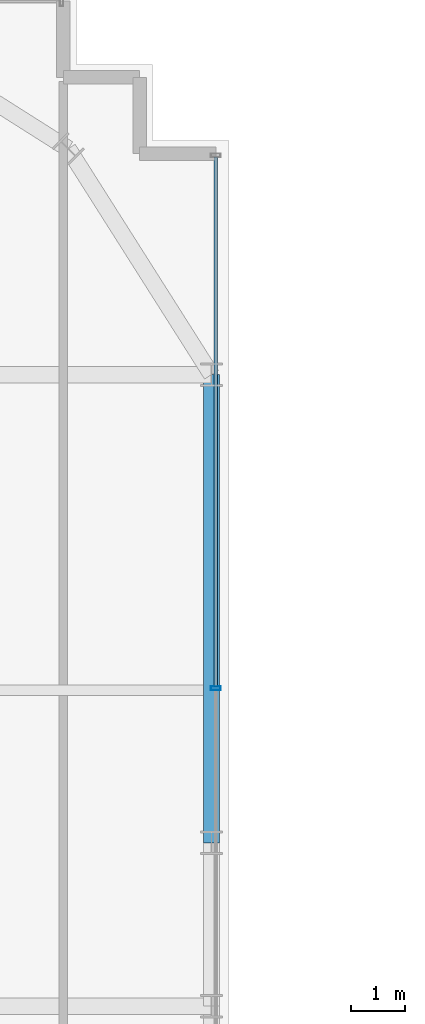
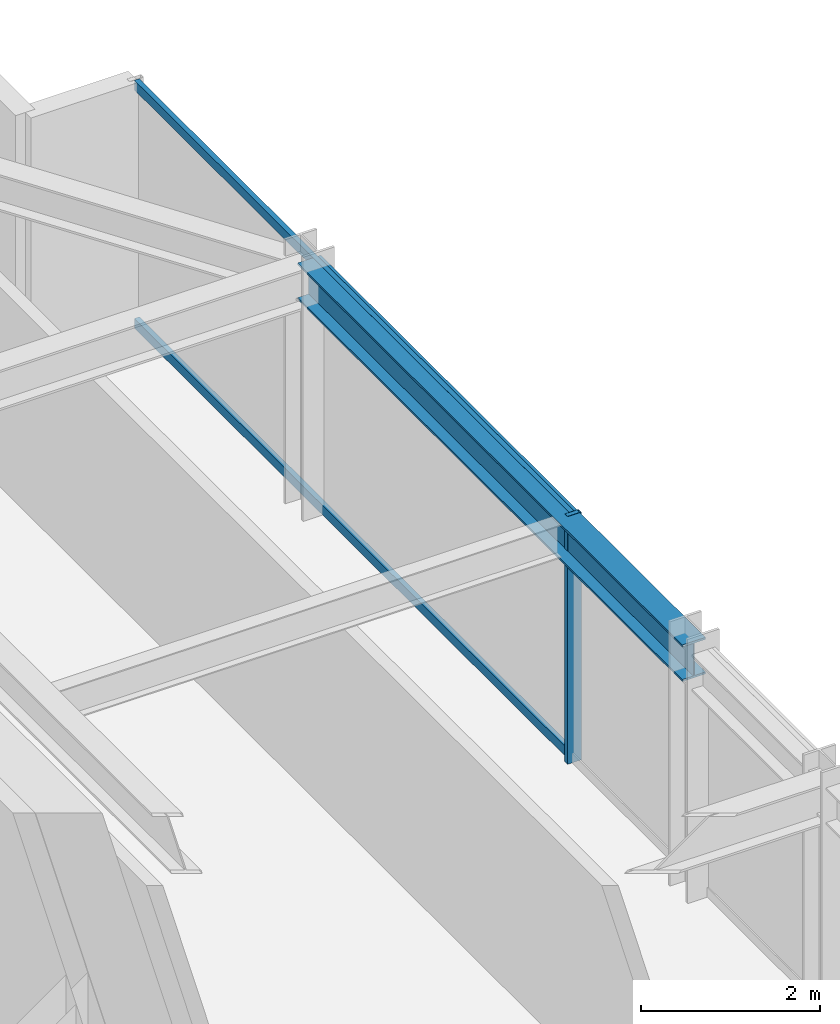
# One storey, part 23 of 34: 3 members, 1 beam, 1 element without a shape of its own.
"""IFC4 building model written with IfcOpenShell, lengths in metres."""

from ifc_helpers import new_model, si_unit, direction, frame, origin, origin_2d, place, context, subcontext, project, spatial, hollow_rectangle, i_section, extrude, source, transform, mapped, material, material_profile, profile_set, type_object, element, aggregate, save


model = new_model("IFC4")

# Units and contexts
model_context = context("Model", 3, precision=1e-05, world=origin(), true_north=direction((0.0, 1.0)))
body_context = subcontext(model_context, "Body", "Model", "MODEL_VIEW")
ifc_project = project(units=[si_unit("LENGTHUNIT", "METRE"), si_unit("AREAUNIT", "SQUARE_METRE"), si_unit("VOLUMEUNIT", "CUBIC_METRE"), si_unit("PLANEANGLEUNIT", "RADIAN"), si_unit("MASSUNIT", "GRAM", prefix="KILO")], contexts=[model_context])

# Site, building, storey
site_placement = place(None, origin())
site = spatial("IfcSite", under=ifc_project, at=site_placement, CompositionType="ELEMENT")
building_placement = place(site_placement, origin())
building = spatial("IfcBuilding", under=site, at=building_placement, Name="Nahalor Promenade Grand Hotel", CompositionType="ELEMENT")
storey_placement = place(building_placement, frame((0.0, 0.0, 99.25)))
storey = spatial("IfcBuildingStorey", under=building, at=storey_placement, Name="L24", CompositionType="ELEMENT", Elevation=99.25)

# Beam
ifc_material_1 = material(Name="Steel S355JR", Category="steel")
ifc_material_profile_1 = material_profile(ifc_material_1, i_section(OverallWidth=0.3, OverallDepth=0.5, WebThickness=0.0145, FlangeThickness=0.028, at=origin_2d()), Name="HEB 500")
ifc_profile_set_1 = profile_set([ifc_material_profile_1], Name="Steel S355JR")
beam_type = type_object("IfcBeamType", Name="Beam-Spandrel-HEB500", PredefinedType="SPANDREL", material=ifc_profile_set_1)
shared_shape_1 = source(origin(), body_context, "Body", "SweptSolid", [
    extrude(i_section(OverallWidth=0.3, OverallDepth=0.5, WebThickness=0.0145, FlangeThickness=0.028, at=origin_2d()), origin(), (0.0, 0.0, 1.0), 8.60009765625),
])
beam_placement = place(storey_placement, frame((23.780029296875, 8.39990234375, 3.1298828125), z_axis=(0.0, 1.0, 0.0), x_axis=(-1.0, 0.0, 0.0)))
element("IfcBeam", 1, at=beam_placement, inside=storey, type_object=beam_type, Name="BM-L24-SP-E-4", PredefinedType="SPANDREL", context=body_context, shape_type="MappedRepresentation", body=[
    mapped(shared_shape_1, transform((0.0, 0.0, 0.0), scale=1.0)),
])

# Curtain wall, members
ifc_material_2 = material(Name="Anodised Bronze Aluminium EN AW-6063 T6", Category="aluminium")
curtain_wall_type = type_object("IfcCurtainWallType", Name="CW2 Typical Hotel Flush Bronze Unitised Curtain Wall", PredefinedType="USERDEFINED", material=ifc_material_2)
curtain_wall_placement = place(storey_placement, origin())
curtain_wall = element("IfcCurtainWall", 2, at=curtain_wall_placement, inside=storey, type_object=curtain_wall_type, Name="L24 Curtain Wall CW-L24-E-3", ObjectType="UNITISED_CURTAIN_WALL", PredefinedType="USERDEFINED")
ifc_material_profile_2 = material_profile(ifc_material_2, hollow_rectangle(XDim=0.065, YDim=0.18, WallThickness=0.004, at=origin_2d()), Name="CWM 65x180x4")
ifc_profile_set_2 = profile_set([ifc_material_profile_2], Name="Anodised Bronze Aluminium EN AW-6063 T6")
member_type_1 = type_object("IfcMemberType", Name="CWM2 Typical Bronze Mullion 65x180", PredefinedType="MULLION", material=ifc_profile_set_2)
shared_shape_2 = source(origin(), body_context, "Body", "SweptSolid", [
    extrude(hollow_rectangle(XDim=0.065, YDim=0.18, WallThickness=0.004, at=origin_2d()), origin(), (0.0, 0.0, 1.0), 3.3798828125),
])
member_1_placement = place(storey_placement, frame((23.860107421875, 11.239990234375, 0.0), z_axis=(0.0, 0.0, 1.0), x_axis=(0.0, 1.0, 0.0)))
member_1 = element("IfcMember", 3, at=member_1_placement, type_object=member_type_1, Name="CW-L24-E-3 Mullion 2", PredefinedType="MULLION", context=body_context, shape_type="MappedRepresentation", body=[
    mapped(shared_shape_2, transform((0.0, 0.0, 0.0), scale=1.0)),
])
ifc_material_profile_3 = material_profile(ifc_material_2, hollow_rectangle(XDim=0.065, YDim=0.13, WallThickness=0.004, at=origin_2d()), Name="CWT 65x130x4")
ifc_profile_set_3 = profile_set([ifc_material_profile_3], Name="Anodised Bronze Aluminium EN AW-6063 T6")
member_type_2 = type_object("IfcMemberType", Name="CWT2 Typical Bronze Transom 65x130", PredefinedType="USERDEFINED", material=ifc_profile_set_3)
shared_shape_3 = source(origin(), body_context, "Body", "SweptSolid", [
    extrude(hollow_rectangle(XDim=0.065, YDim=0.13, WallThickness=0.004, at=origin_2d()), origin(), (0.0, 0.0, 1.0), 9.72265625),
])
member_2_placement = place(storey_placement, frame((23.860107421875, 11.2724609375, 0.06494140625), z_axis=(0.0, 1.0, 0.0), x_axis=(-1.0, 0.0, 0.0)))
member_2 = element("IfcMember", 4, at=member_2_placement, type_object=member_type_2, Name="CW-L24-E-3 Transom 2-0", ObjectType="TRANSOM", PredefinedType="USERDEFINED", context=body_context, shape_type="MappedRepresentation", body=[
    mapped(shared_shape_3, transform((0.0, 0.0, 0.0), scale=1.0)),
])
member_3_placement = place(storey_placement, frame((23.860107421875, 11.2724609375, 3.31494140625), z_axis=(0.0, 1.0, 0.0), x_axis=(-1.0, 0.0, 0.0)))
member_3 = element("IfcMember", 5, at=member_3_placement, type_object=member_type_2, Name="CW-L24-E-3 Transom 2-1", ObjectType="TRANSOM", PredefinedType="USERDEFINED", context=body_context, shape_type="MappedRepresentation", body=[
    mapped(shared_shape_3, transform((0.0, 0.0, 0.0), scale=1.0)),
])
aggregate(curtain_wall, [member_1, member_2, member_3])

save(model, "model.ifc")
